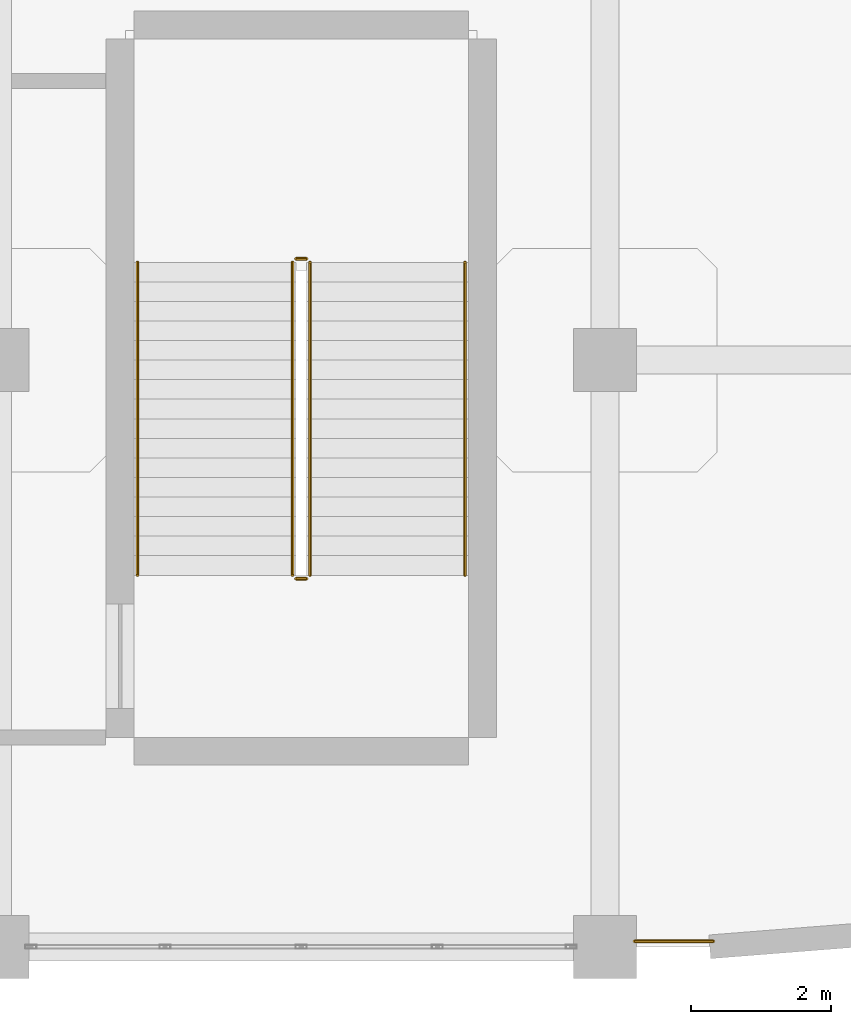
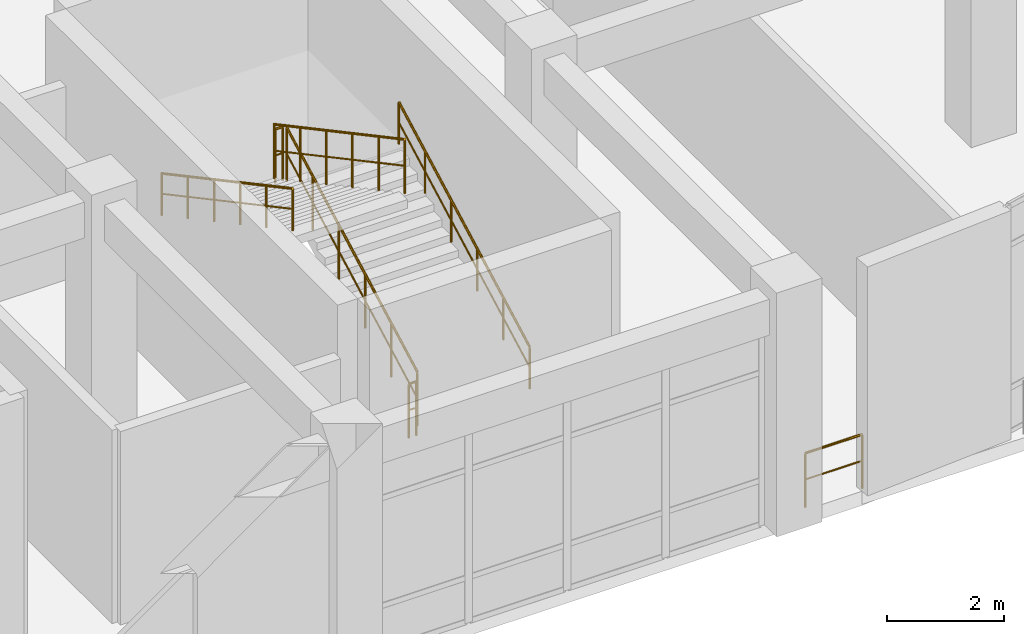
# One storey, part 119 of 120: 7 railings.
"""IFC4 building model written with IfcOpenShell, lengths in metres."""

from ifc_helpers import new_model, si_unit, derived_unit, direction, frame, origin, origin_2d, place, context, subcontext, project, spatial, circle, extrude, material, type_object, element, save


model = new_model("IFC4")

# Units and contexts
model_context = context("Model", 3, precision=1e-05, world=origin(), true_north=direction((0.0, 1.0)))
body_context = subcontext(model_context, "Body", "Model", "MODEL_VIEW")
ifc_project = project(units=[si_unit("LENGTHUNIT", "METRE"), si_unit("AREAUNIT", "SQUARE_METRE"), si_unit("VOLUMEUNIT", "CUBIC_METRE"), si_unit("PLANEANGLEUNIT", "RADIAN"), si_unit("MASSUNIT", "GRAM", prefix="KILO"), derived_unit("THERMALTRANSMITTANCEUNIT", [(si_unit("MASSUNIT", "GRAM", prefix="KILO"), 1), (si_unit("TIMEUNIT", "SECOND"), -3), (si_unit("THERMODYNAMICTEMPERATUREUNIT", "KELVIN"), -1)])], contexts=[model_context])

# Site, building, storey
site_placement = place(None, origin())
site = spatial("IfcSite", under=ifc_project, at=site_placement, CompositionType="ELEMENT")
building_placement = place(site_placement, origin())
building = spatial("IfcBuilding", under=site, at=building_placement, Name="Qinzheling Arcade Emporium", CompositionType="ELEMENT")
storey_placement = place(building_placement, frame((0.0, 0.0, 11.39990234375)))
storey = spatial("IfcBuildingStorey", under=building, at=storey_placement, Name="L03", CompositionType="ELEMENT", Elevation=11.39990234375)

# Railings
ifc_material_1 = material(Name="Architectural bronze rail and laminated safety glass", Category="glass")
railing_type_1 = type_object("IfcRailingType", Name="Curved Terrace Laminated Glass and Bronze Balustrade 1150", PredefinedType="BALUSTRADE", material=ifc_material_1)
railing_1_placement = place(storey_placement, frame((148.320068359375, 0.080078125, 0.0)))
element("IfcRailing", 1, at=railing_1_placement, inside=storey, type_object=railing_type_1, Name="Terrace Corner Balustrade RLG-TER-L03-CNR-V4", PredefinedType="BALUSTRADE", context=body_context, shape_type="SweptSolid", body=[
    extrude(circle(Radius=0.02392578125, at=origin_2d()), frame((0.0, 0.0, 1.1259765625), z_axis=(1.0, 0.0, 0.0), x_axis=(0.0, 1.0, 0.0)), (0.0, 0.0, 1.0), 1.1298828125),
    extrude(circle(Radius=0.01611328125, at=origin_2d()), frame((0.0, 0.0, 0.574951171875), z_axis=(1.0, 0.0, 0.0), x_axis=(0.0, 1.0, 0.0)), (0.0, 0.0, 1.0), 1.1298828125),
    extrude(circle(Radius=0.02099609375, at=origin_2d()), origin(), (0.0, 0.0, 1.0), 1.101806640625),
    extrude(circle(Radius=0.02099609375, at=origin_2d()), frame((1.1298828125, 0.0, 0.0)), (0.0, 0.0, 1.0), 1.101806640625),
])
ifc_material_2 = material(Name="Galvanised powder-coated tubular steel", Category="steel")
railing_type_2 = type_object("IfcRailingType", Name="Painted Steel Stairwell Guard Railing 1150", PredefinedType="GUARDRAIL", material=ifc_material_2)
railing_2_placement = place(storey_placement, frame((143.675048828125, 5.320068359375, 0.150146484375)))
element("IfcRailing", 2, at=railing_2_placement, inside=storey, type_object=railing_type_2, Name="L03 ST06 stair guard 1", PredefinedType="GUARDRAIL", context=body_context, shape_type="SweptSolid", body=[
    extrude(circle(Radius=0.02392578125, at=origin_2d()), frame((0.0, 0.0, 1.1259765625), z_axis=(0.0, 0.881487111273, 0.472208081951), x_axis=(-1.0, 0.0, 0.0)), (0.0, 0.0, 1.0), 5.082275390625),
    extrude(circle(Radius=0.01611328125, at=origin_2d()), frame((0.0, 0.0, 0.574951171875), z_axis=(0.0, 0.881487111273, 0.472208081951), x_axis=(-1.0, 0.0, 0.0)), (0.0, 0.0, 1.0), 5.082275390625),
    extrude(circle(Radius=0.02099609375, at=origin_2d()), origin(), (0.0, 0.0, 1.0), 1.101806640625),
    extrude(circle(Radius=0.02099609375, at=origin_2d()), frame((0.0, 0.89599609375, 0.47998046875)), (0.0, 0.0, 1.0), 1.101806640625),
    extrude(circle(Radius=0.02099609375, at=origin_2d()), frame((0.0, 1.7919921875, 0.9599609375)), (0.0, 0.0, 1.0), 1.101806640625),
    extrude(circle(Radius=0.02099609375, at=origin_2d()), frame((0.0, 2.68798828125, 1.43994140625)), (0.0, 0.0, 1.0), 1.101806640625),
    extrude(circle(Radius=0.02099609375, at=origin_2d()), frame((0.0, 3.583984375, 1.919921875)), (0.0, 0.0, 1.0), 1.101806640625),
    extrude(circle(Radius=0.02099609375, at=origin_2d()), frame((0.0, 4.47998046875, 2.39990234375)), (0.0, 0.0, 1.0), 1.101806640625),
])
railing_3_placement = place(storey_placement, frame((143.625, 9.85009765625, 2.550048828125)))
element("IfcRailing", 3, at=railing_3_placement, inside=storey, type_object=railing_type_2, Name="L03 ST06 stair guard 2", PredefinedType="GUARDRAIL", context=body_context, shape_type="SweptSolid", body=[
    extrude(circle(Radius=0.02392578125, at=origin_2d()), frame((0.0, 0.0, 1.1259765625), z_axis=(-1.0, 0.0, 0.0), x_axis=(0.0, -1.0, 0.0)), (0.0, 0.0, 1.0), 0.14990234375),
    extrude(circle(Radius=0.01611328125, at=origin_2d()), frame((0.0, 0.0, 0.574951171875), z_axis=(-1.0, 0.0, 0.0), x_axis=(0.0, -1.0, 0.0)), (0.0, 0.0, 1.0), 0.14990234375),
    extrude(circle(Radius=0.02099609375, at=origin_2d()), origin(), (0.0, 0.0, 1.0), 1.101806640625),
    extrude(circle(Radius=0.02099609375, at=origin_2d()), frame((-0.14990234375, 0.0, 0.0)), (0.0, 0.0, 1.0), 1.101806640625),
])
railing_4_placement = place(storey_placement, frame((143.425048828125, 9.800048828125, 2.7001953125)))
element("IfcRailing", 4, at=railing_4_placement, inside=storey, type_object=railing_type_2, Name="L03 ST06 stair guard 3", PredefinedType="GUARDRAIL", context=body_context, shape_type="SweptSolid", body=[
    extrude(circle(Radius=0.02392578125, at=origin_2d()), frame((0.0, 0.0, 1.1259765625), z_axis=(0.0, -0.881487111273, 0.472208081951), x_axis=(1.0, 0.0, 0.0)), (0.0, 0.0, 1.0), 5.082275390625),
    extrude(circle(Radius=0.01611328125, at=origin_2d()), frame((0.0, 0.0, 0.574951171875), z_axis=(0.0, -0.881487111273, 0.472208081951), x_axis=(1.0, 0.0, 0.0)), (0.0, 0.0, 1.0), 5.082275390625),
    extrude(circle(Radius=0.02099609375, at=origin_2d()), origin(), (0.0, 0.0, 1.0), 1.101806640625),
    extrude(circle(Radius=0.02099609375, at=origin_2d()), frame((0.0, -0.89599609375, 0.47998046875)), (0.0, 0.0, 1.0), 1.101806640625),
    extrude(circle(Radius=0.02099609375, at=origin_2d()), frame((0.0, -1.7919921875, 0.9599609375)), (0.0, 0.0, 1.0), 1.101806640625),
    extrude(circle(Radius=0.02099609375, at=origin_2d()), frame((0.0, -2.68798828125, 1.43994140625)), (0.0, 0.0, 1.0), 1.101806640625),
    extrude(circle(Radius=0.02099609375, at=origin_2d()), frame((0.0, -3.583984375, 1.919921875)), (0.0, 0.0, 1.0), 1.101806640625),
    extrude(circle(Radius=0.02099609375, at=origin_2d()), frame((0.0, -4.47998046875, 2.39990234375)), (0.0, 0.0, 1.0), 1.101806640625),
])
railing_5_placement = place(storey_placement, frame((143.625, 5.27001953125, 0.0)))
element("IfcRailing", 5, at=railing_5_placement, inside=storey, type_object=railing_type_2, Name="L03 ST06 stair guard 4", PredefinedType="GUARDRAIL", context=body_context, shape_type="SweptSolid", body=[
    extrude(circle(Radius=0.02392578125, at=origin_2d()), frame((0.0, 0.0, 1.1259765625), z_axis=(-1.0, 0.0, 0.0), x_axis=(0.0, -1.0, 0.0)), (0.0, 0.0, 1.0), 0.14990234375),
    extrude(circle(Radius=0.01611328125, at=origin_2d()), frame((0.0, 0.0, 0.574951171875), z_axis=(-1.0, 0.0, 0.0), x_axis=(0.0, -1.0, 0.0)), (0.0, 0.0, 1.0), 0.14990234375),
    extrude(circle(Radius=0.02099609375, at=origin_2d()), origin(), (0.0, 0.0, 1.0), 1.101806640625),
    extrude(circle(Radius=0.02099609375, at=origin_2d()), frame((-0.14990234375, 0.0, 0.0)), (0.0, 0.0, 1.0), 1.101806640625),
])
ifc_material_3 = material(Name="Brushed stainless steel 304", Category="steel")
railing_type_3 = type_object("IfcRailingType", Name="Stainless Steel Wall Handrail 900", PredefinedType="HANDRAIL", material=ifc_material_3)
railing_6_placement = place(storey_placement, frame((145.89501953125, 5.320068359375, 0.150146484375)))
element("IfcRailing", 6, at=railing_6_placement, inside=storey, type_object=railing_type_3, Name="L03 ST06 stair handrail 1", PredefinedType="HANDRAIL", context=body_context, shape_type="SweptSolid", body=[
    extrude(circle(Radius=0.02392578125, at=origin_2d()), frame((0.0, 0.0, 0.8759765625), z_axis=(0.0, 0.881487111273, 0.472208081951), x_axis=(-1.0, 0.0, 0.0)), (0.0, 0.0, 1.0), 5.082275390625),
    extrude(circle(Radius=0.01611328125, at=origin_2d()), frame((0.0, 0.0, 0.449951171875), z_axis=(0.0, 0.881487111273, 0.472208081951), x_axis=(-1.0, 0.0, 0.0)), (0.0, 0.0, 1.0), 5.082275390625),
    extrude(circle(Radius=0.02099609375, at=origin_2d()), origin(), (0.0, 0.0, 1.0), 0.851806640625),
    extrude(circle(Radius=0.02099609375, at=origin_2d()), frame((0.0, 0.89599609375, 0.47998046875)), (0.0, 0.0, 1.0), 0.851806640625),
    extrude(circle(Radius=0.02099609375, at=origin_2d()), frame((0.0, 1.7919921875, 0.9599609375)), (0.0, 0.0, 1.0), 0.851806640625),
    extrude(circle(Radius=0.02099609375, at=origin_2d()), frame((0.0, 2.68798828125, 1.43994140625)), (0.0, 0.0, 1.0), 0.851806640625),
    extrude(circle(Radius=0.02099609375, at=origin_2d()), frame((0.0, 3.583984375, 1.919921875)), (0.0, 0.0, 1.0), 0.851806640625),
    extrude(circle(Radius=0.02099609375, at=origin_2d()), frame((0.0, 4.47998046875, 2.39990234375)), (0.0, 0.0, 1.0), 0.851806640625),
])
railing_7_placement = place(storey_placement, frame((141.205078125, 9.800048828125, 2.7001953125)))
element("IfcRailing", 7, at=railing_7_placement, inside=storey, type_object=railing_type_3, Name="L03 ST06 stair handrail 2", PredefinedType="HANDRAIL", context=body_context, shape_type="SweptSolid", body=[
    extrude(circle(Radius=0.02392578125, at=origin_2d()), frame((0.0, 0.0, 0.8759765625), z_axis=(0.0, -0.881487111273, 0.472208081951), x_axis=(1.0, 0.0, 0.0)), (0.0, 0.0, 1.0), 5.082275390625),
    extrude(circle(Radius=0.01611328125, at=origin_2d()), frame((0.0, 0.0, 0.449951171875), z_axis=(0.0, -0.881487111273, 0.472208081951), x_axis=(1.0, 0.0, 0.0)), (0.0, 0.0, 1.0), 5.082275390625),
    extrude(circle(Radius=0.02099609375, at=origin_2d()), origin(), (0.0, 0.0, 1.0), 0.851806640625),
    extrude(circle(Radius=0.02099609375, at=origin_2d()), frame((0.0, -0.89599609375, 0.47998046875)), (0.0, 0.0, 1.0), 0.851806640625),
    extrude(circle(Radius=0.02099609375, at=origin_2d()), frame((0.0, -1.7919921875, 0.9599609375)), (0.0, 0.0, 1.0), 0.851806640625),
    extrude(circle(Radius=0.02099609375, at=origin_2d()), frame((0.0, -2.68798828125, 1.43994140625)), (0.0, 0.0, 1.0), 0.851806640625),
    extrude(circle(Radius=0.02099609375, at=origin_2d()), frame((0.0, -3.583984375, 1.919921875)), (0.0, 0.0, 1.0), 0.851806640625),
    extrude(circle(Radius=0.02099609375, at=origin_2d()), frame((0.0, -4.47998046875, 2.39990234375)), (0.0, 0.0, 1.0), 0.851806640625),
])

save(model, "model.ifc")
